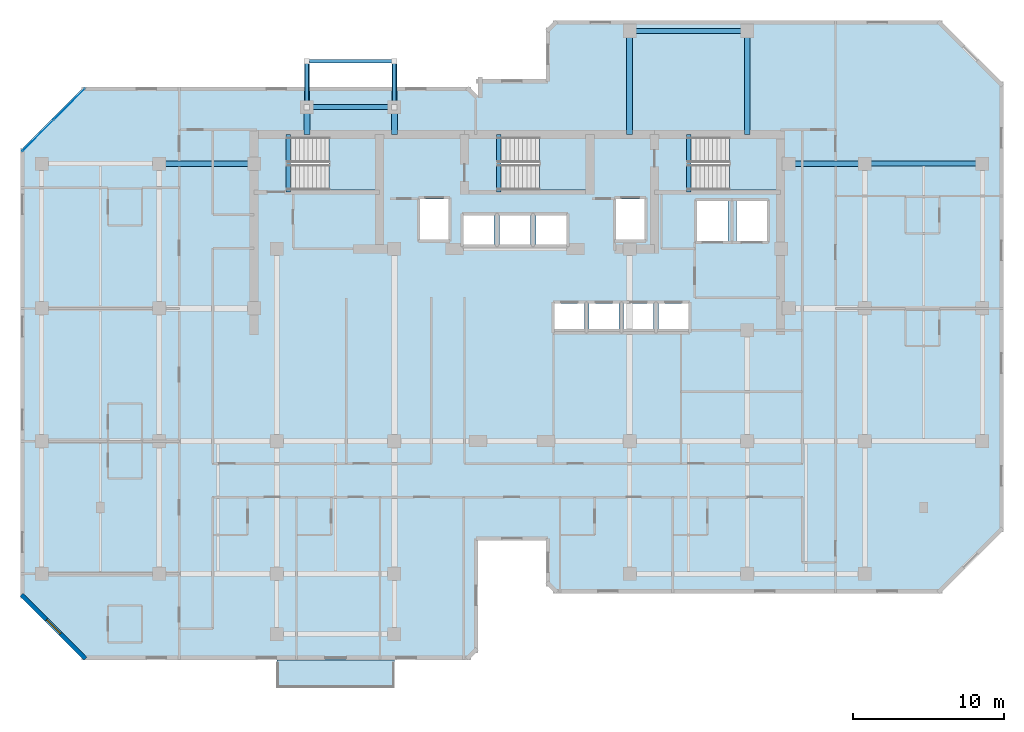
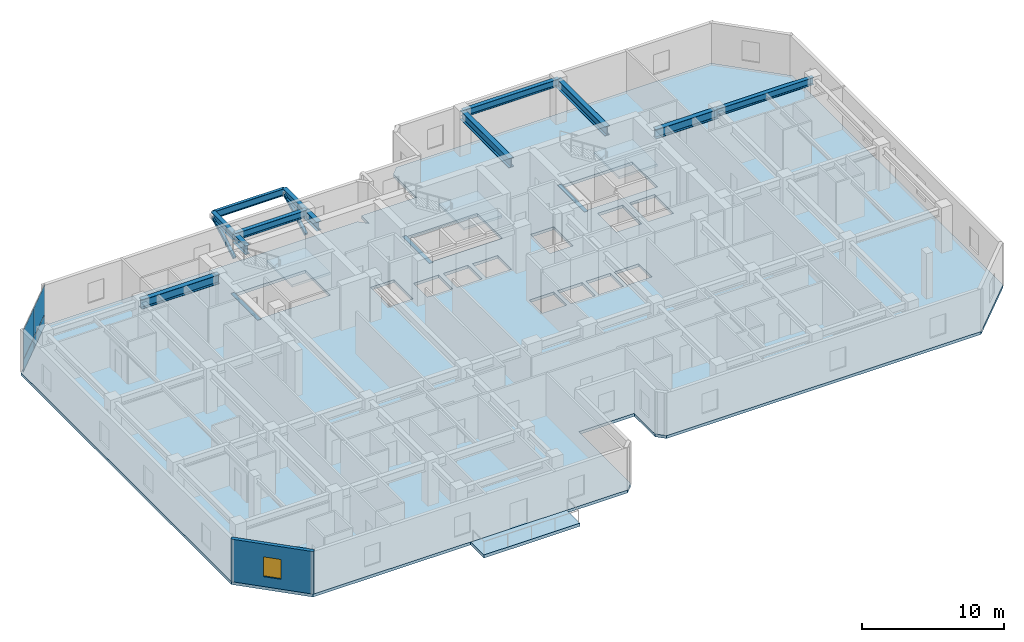
# One storey, part 3 of 11: 15 beams, 5 slabs, 4 plates, 2 members, 1 wall, 1 window, 1 opening, 4 elements without a shape of their own.
"""IFC4 building model written with IfcOpenShell, lengths in metres."""

from ifc_helpers import new_model, si_unit, direction, frame, frame_2d, origin, origin_2d, place, context, subcontext, project, spatial, polyline, rectangle, hollow_rectangle, i_section, outline, extrude, material, layer, layer_set, material_profile, profile_set, type_object, element, fill, aggregate, save


model = new_model("IFC4")

# Units and contexts
model_context = context("Model", 3, precision=1e-05, world=origin(), true_north=direction((0.0, 1.0)))
body_context = subcontext(model_context, "Body", "Model", "MODEL_VIEW")
ifc_project = project(units=[si_unit("LENGTHUNIT", "METRE"), si_unit("AREAUNIT", "SQUARE_METRE"), si_unit("VOLUMEUNIT", "CUBIC_METRE"), si_unit("PLANEANGLEUNIT", "RADIAN"), si_unit("MASSUNIT", "GRAM", prefix="KILO")], contexts=[model_context])

# Site, building, storey
site_placement = place(None, origin())
site = spatial("IfcSite", under=ifc_project, at=site_placement, CompositionType="ELEMENT")
building_placement = place(site_placement, origin())
building = spatial("IfcBuilding", under=site, at=building_placement, Name="Kestravale Grand Hotel", CompositionType="ELEMENT")
storey_placement = place(building_placement, frame((0.0, 0.0, 208.5)))
storey = spatial("IfcBuildingStorey", under=building, at=storey_placement, Name="L52", CompositionType="ELEMENT", Elevation=208.5)

# Beams
ifc_material_1 = material(Name="Concrete f'c 45 MPa", Category="concrete")
ifc_material_profile_1 = material_profile(ifc_material_1, rectangle(XDim=0.300048828125, YDim=0.39990234375, at=origin_2d()))
ifc_profile_set_1 = profile_set([ifc_material_profile_1], Name="Concrete f'c 45 MPa")
beam_type_1 = type_object("IfcBeamType", Name="B-FLR-LNT400", PredefinedType="LINTEL", material=ifc_profile_set_1)
for number, where, z_axis, x_axis, name in (
    (1, (24.159912109375, 36.52001953125, -0.199951171875), (0.0, 1.0, 0.0), (-1.0, 0.0, 0.0), "L52 ST1 flight bottom header beam"),
    (2, (38.110107421875, 36.52001953125, -0.199951171875), (0.0, 1.0, 0.0), (-1.0, 0.0, 0.0), "L52 ST2 flight bottom header beam"),
    (3, (50.7099609375, 36.52001953125, -0.199951171875), (0.0, 1.0, 0.0), (-1.0, 0.0, 0.0), "L52 ST3 flight bottom header beam"),
):
    element("IfcBeam", number, at=place(storey_placement, frame(where, z_axis=z_axis, x_axis=x_axis)), inside=storey, type_object=beam_type_1, Name=name, PredefinedType="LINTEL", context=body_context, shape_type="SweptSolid", body=[
        extrude(rectangle(XDim=0.300048828125, YDim=0.39990234375, at=origin_2d()), origin(), (0.0, 0.0, 1.0), 3.800048828125),
    ])
ifc_material_2 = material(Name="Steel ASTM A992 Grade 50", Category="steel")
ifc_material_profile_2 = material_profile(ifc_material_2, i_section(OverallWidth=0.324951171875, OverallDepth=0.612060546875, WebThickness=0.0126953125, FlangeThickness=0.01904296875, FilletRadius=0.018798828125, at=origin_2d()))
ifc_profile_set_2 = profile_set([ifc_material_profile_2], Name="Steel ASTM A992 Grade 50")
beam_type_2 = type_object("IfcBeamType", Name="B-FLR-W24A", PredefinedType="SPANDREL", material=ifc_profile_set_2)
for number, where, z_axis, x_axis, name in (
    (4, (62.39990234375, 38.39990234375, 3.343994140625), (1.0, 0.0, 0.0), (0.0, 1.0, 0.0), "L52 spandrel F:10-11"),
    (5, (46.800048828125, 47.199951171875, 3.343994140625), (1.0, 0.0, 0.0), (0.0, 1.0, 0.0), "L52 spandrel G:8-9"),
):
    element("IfcBeam", number, at=place(storey_placement, frame(where, z_axis=z_axis, x_axis=x_axis)), inside=storey, type_object=beam_type_2, Name=name, PredefinedType="SPANDREL", context=body_context, shape_type="SweptSolid", body=[
        extrude(i_section(OverallWidth=0.324951171875, OverallDepth=0.612060546875, WebThickness=0.0126953125, FlangeThickness=0.01904296875, FilletRadius=0.018798828125, at=origin_2d()), origin(), (0.0, 0.0, 1.0), 7.800048828125),
    ])
beam_1_placement = place(storey_placement, frame((25.39990234375, 42.14990234375, 3.343994140625), z_axis=(1.0, 0.0, 0.0), x_axis=(0.0, 1.0, 0.0)))
element("IfcBeam", 6, at=beam_1_placement, inside=storey, type_object=beam_type_2, Name="L52 perimeter tie spandrel FN:4-5", PredefinedType="SPANDREL", context=body_context, shape_type="SweptSolid", body=[
    extrude(i_section(OverallWidth=0.324951171875, OverallDepth=0.612060546875, WebThickness=0.0126953125, FlangeThickness=0.01904296875, FilletRadius=0.018798828125, at=origin_2d()), origin(), (0.0, 0.0, 1.0), 5.800048828125),
])
for number, where, z_axis, x_axis, name in (
    (7, (25.39990234375, 42.14990234375, 3.323974609375), (0.0, 1.0, 0.0), (-1.0, 0.0, 0.0), "L53 terrace cantilever beam 1"),
    (8, (31.199951171875, 42.14990234375, 3.323974609375), (0.0, 1.0, 0.0), (-1.0, 0.0, 0.0), "L53 terrace cantilever beam 2"),
):
    element("IfcBeam", number, at=place(storey_placement, frame(where, z_axis=z_axis, x_axis=x_axis)), inside=storey, type_object=beam_type_2, Name=name, PredefinedType="SPANDREL", context=body_context, shape_type="SweptSolid", body=[
        extrude(i_section(OverallWidth=0.324951171875, OverallDepth=0.612060546875, WebThickness=0.0126953125, FlangeThickness=0.01904296875, FilletRadius=0.018798828125, at=origin_2d()), origin(), (0.0, 0.0, 1.0), 3.050048828125),
    ])
ifc_material_3 = material(Name="Steel ASTM A992 Grade 50", Category="steel")
ifc_material_profile_3 = material_profile(ifc_material_3, i_section(OverallWidth=0.22900390625, OverallDepth=0.612060546875, WebThickness=0.011962890625, FlangeThickness=0.01953125, FilletRadius=0.019287109375, at=origin_2d()))
ifc_profile_set_3 = profile_set([ifc_material_profile_3], Name="Steel ASTM A992 Grade 50")
beam_type_3 = type_object("IfcBeamType", Name="B-FLR-W24B", PredefinedType="SPANDREL", material=ifc_profile_set_3)
beam_2_placement = place(storey_placement, frame((25.39990234375, 45.199951171875, 3.323974609375), z_axis=(1.0, 0.0, 0.0), x_axis=(0.0, 1.0, 0.0)))
element("IfcBeam", 9, at=beam_2_placement, inside=storey, type_object=beam_type_3, Name="L53 terrace edge spandrel", PredefinedType="SPANDREL", context=body_context, shape_type="SweptSolid", body=[
    extrude(i_section(OverallWidth=0.22900390625, OverallDepth=0.612060546875, WebThickness=0.011962890625, FlangeThickness=0.01953125, FilletRadius=0.019287109375, at=origin_2d()), origin(), (0.0, 0.0, 1.0), 5.800048828125),
])
ifc_material_4 = material(Name="Steel ASTM A992 Grade 50", Category="steel")
ifc_material_profile_4 = material_profile(ifc_material_4, i_section(OverallWidth=0.381103515625, OverallDepth=0.77197265625, WebThickness=0.0166015625, FlangeThickness=0.027099609375, FilletRadius=0.023681640625, at=origin_2d()))
ifc_profile_set_4 = profile_set([ifc_material_profile_4], Name="Steel ASTM A992 Grade 50")
beam_type_4 = type_object("IfcBeamType", Name="B-GRD-W30", PredefinedType="BEAM", material=ifc_profile_set_4)
beam_3_placement = place(storey_placement, frame((15.60009765625, 38.39990234375, 3.263916015625), z_axis=(1.0, 0.0, 0.0), x_axis=(0.0, 1.0, 0.0)))
element("IfcBeam", 10, at=beam_3_placement, inside=storey, type_object=beam_type_4, Name="L52 girder F:3-CW", PredefinedType="BEAM", context=body_context, shape_type="SweptSolid", body=[
    extrude(i_section(OverallWidth=0.381103515625, OverallDepth=0.77197265625, WebThickness=0.0166015625, FlangeThickness=0.027099609375, FilletRadius=0.023681640625, at=origin_2d()), origin(), (0.0, 0.0, 1.0), 6.2998046875),
])
beam_4_placement = place(storey_placement, frame((57.35009765625, 38.39990234375, 3.263916015625), z_axis=(1.0, 0.0, 0.0), x_axis=(0.0, 1.0, 0.0)))
element("IfcBeam", 11, at=beam_4_placement, inside=storey, type_object=beam_type_4, Name="L52 girder F:CE-10", PredefinedType="BEAM", context=body_context, shape_type="SweptSolid", body=[
    extrude(i_section(OverallWidth=0.381103515625, OverallDepth=0.77197265625, WebThickness=0.0166015625, FlangeThickness=0.027099609375, FilletRadius=0.023681640625, at=origin_2d()), origin(), (0.0, 0.0, 1.0), 5.0498046875),
])
for number, where, z_axis, x_axis, name in (
    (12, (25.39990234375, 40.320068359375, 3.263916015625), (0.0, 1.0, 0.0), (-1.0, 0.0, 0.0), "L52 north wing tie girder 4:CN-FN"),
    (13, (31.199951171875, 40.320068359375, 3.263916015625), (0.0, 1.0, 0.0), (-1.0, 0.0, 0.0), "L52 north wing tie girder 5:CN-FN"),
):
    element("IfcBeam", number, at=place(storey_placement, frame(where, z_axis=z_axis, x_axis=x_axis)), inside=storey, type_object=beam_type_4, Name=name, PredefinedType="BEAM", context=body_context, shape_type="SweptSolid", body=[
        extrude(i_section(OverallWidth=0.381103515625, OverallDepth=0.77197265625, WebThickness=0.0166015625, FlangeThickness=0.027099609375, FilletRadius=0.023681640625, at=origin_2d()), origin(), (0.0, 0.0, 1.0), 1.829833984375),
    ])
for number, where, z_axis, x_axis, name in (
    (14, (46.800048828125, 40.320068359375, 3.263916015625), (0.0, 1.0, 0.0), (-1.0, 0.0, 0.0), "L52 north wing tie girder 8:CN-G"),
    (15, (54.60009765625, 40.320068359375, 3.263916015625), (0.0, 1.0, 0.0), (-1.0, 0.0, 0.0), "L52 north wing tie girder 9:CN-G"),
):
    element("IfcBeam", number, at=place(storey_placement, frame(where, z_axis=z_axis, x_axis=x_axis)), inside=storey, type_object=beam_type_4, Name=name, PredefinedType="BEAM", context=body_context, shape_type="SweptSolid", body=[
        extrude(i_section(OverallWidth=0.381103515625, OverallDepth=0.77197265625, WebThickness=0.0166015625, FlangeThickness=0.027099609375, FilletRadius=0.023681640625, at=origin_2d()), origin(), (0.0, 0.0, 1.0), 6.8798828125),
    ])

# Members
ifc_material_5 = material(Name="Steel ASTM A500 Grade C", Category="steel")
ifc_material_profile_5 = material_profile(ifc_material_5, hollow_rectangle(XDim=0.25, YDim=0.25, WallThickness=0.011962890625, InnerFilletRadius=0.011962890625, OuterFilletRadius=0.02392578125, at=origin_2d()))
ifc_profile_set_5 = profile_set([ifc_material_profile_5], Name="Steel ASTM A500 Grade C")
member_type = type_object("IfcMemberType", Name="M-BLT-STR250", PredefinedType="STRUT", material=ifc_profile_set_5)
for number, where, z_axis, x_axis, name in (
    (16, (25.39990234375, 42.14990234375, 1.47412109375), (0.0, 0.873490250237, 0.486841640311), (-1.0, 0.0, 0.0), "L53 terrace knee-brace strut 1"),
    (17, (31.199951171875, 42.14990234375, 1.47412109375), (0.0, 0.873490250237, 0.486841640311), (-1.0, 0.0, 0.0), "L53 terrace knee-brace strut 2"),
):
    element("IfcMember", number, at=place(storey_placement, frame(where, z_axis=z_axis, x_axis=x_axis)), inside=storey, type_object=member_type, Name=name, PredefinedType="STRUT", context=body_context, shape_type="SweptSolid", body=[
        extrude(hollow_rectangle(XDim=0.25, YDim=0.25, WallThickness=0.011962890625, InnerFilletRadius=0.011962890625, OuterFilletRadius=0.02392578125, at=origin_2d()), origin(), (0.0, 0.0, 1.0), 3.49169921875),
    ])

# Curtain wall, plates
ifc_material_6 = material(Name="Thermally broken champagne-bronze aluminium and low-E glazing", Category="aluminium")
ifc_layer_1 = layer(ifc_material_6, 0.179931640625)
ifc_layer_set_1 = layer_set([ifc_layer_1], Name="CW-Z3")
curtain_wall_type = type_object("IfcCurtainWallType", Name="CW-Z3", PredefinedType="NOTDEFINED", material=ifc_layer_set_1)
curtain_wall_placement = place(storey_placement, origin())
curtain_wall = element("IfcCurtainWall", 18, at=curtain_wall_placement, inside=storey, type_object=curtain_wall_type, Name="L52 unitised curtain wall 18", PredefinedType="NOTDEFINED")
ifc_material_7 = material(Name="Insulated clear low-E double glazing IGU", Category="glass")
ifc_layer_2 = layer(ifc_material_7, 0.031982421875)
ifc_layer_set_2 = layer_set([ifc_layer_2], Name="CW-PNL-32")
plate_type = type_object("IfcPlateType", Name="CW-PNL-32", PredefinedType="CURTAIN_PANEL", material=ifc_layer_set_2)
plate_1_placement = place(storey_placement, frame((9.64453125, 42.3466796875, 0.06494140625), z_axis=(0.0, 0.0, 1.0), x_axis=(-0.707106781187, -0.707106781187, 0.0)))
plate_1 = element("IfcPlate", 19, at=plate_1_placement, type_object=plate_type, Name="CW-Z3 panel 1.1", PredefinedType="CURTAIN_PANEL", context=body_context, shape_type="SweptSolid", body=[
    extrude(rectangle(XDim=2.892333984375, YDim=0.031982421875, at=origin_2d()), origin(), (0.0, 0.0, 1.0), 0.952392578125),
])
plate_2_placement = place(storey_placement, frame((9.64453125, 42.3466796875, 1.08251953125), z_axis=(0.0, 0.0, 1.0), x_axis=(-0.707106781187, -0.707106781187, 0.0)))
plate_2 = element("IfcPlate", 20, at=plate_2_placement, type_object=plate_type, Name="CW-Z3 panel 1.2", PredefinedType="CURTAIN_PANEL", context=body_context, shape_type="SweptSolid", body=[
    extrude(rectangle(XDim=2.892333984375, YDim=0.031982421875, at=origin_2d()), origin(), (0.0, 0.0, 1.0), 2.50244140625),
])
plate_3_placement = place(storey_placement, frame((7.553466796875, 40.25537109375, 0.06494140625), z_axis=(0.0, 0.0, 1.0), x_axis=(-0.707106781187, -0.707106781187, 0.0)))
plate_3 = element("IfcPlate", 21, at=plate_3_placement, type_object=plate_type, Name="CW-Z3 panel 2.1", PredefinedType="CURTAIN_PANEL", context=body_context, shape_type="SweptSolid", body=[
    extrude(rectangle(XDim=2.892333984375, YDim=0.031982421875, at=origin_2d()), origin(), (0.0, 0.0, 1.0), 0.952392578125),
])
plate_4_placement = place(storey_placement, frame((7.553466796875, 40.25537109375, 1.08251953125), z_axis=(0.0, 0.0, 1.0), x_axis=(-0.707106781187, -0.707106781187, 0.0)))
plate_4 = element("IfcPlate", 22, at=plate_4_placement, type_object=plate_type, Name="CW-Z3 panel 2.2", PredefinedType="CURTAIN_PANEL", context=body_context, shape_type="SweptSolid", body=[
    extrude(rectangle(XDim=2.892333984375, YDim=0.031982421875, at=origin_2d()), origin(), (0.0, 0.0, 1.0), 2.50244140625),
])
aggregate(curtain_wall, [plate_1, plate_2, plate_3, plate_4])

# Slab
ifc_material_8 = material(Name="Concrete f'c 45 MPa", Category="concrete")
ifc_layer_3 = layer(ifc_material_8, 0.27001953125)
ifc_layer_set_3 = layer_set([ifc_layer_3], Name="ES-TERR-270")
slab_type_1 = type_object("IfcSlabType", Name="ES-TERR-270", PredefinedType="FLOOR", material=ifc_layer_set_3)
slab_1_placement = place(storey_placement, frame((0.0, 0.0, -0.27001953125)))
element("IfcSlab", 23, at=slab_1_placement, inside=storey, type_object=slab_type_1, Name="L52 spiralling planted garden terrace", PredefinedType="FLOOR", context=body_context, shape_type="SweptSolid", body=[
    extrude(outline(polyline([(23.39990234375, 3.64990234375), (31.199951171875, 3.64990234375), (31.199951171875, 5.5), (23.39990234375, 5.5), (23.39990234375, 3.64990234375)])), origin(), (0.0, 0.0, 1.0), 0.27001953125),
])

# Stair, slab
ifc_material_9 = material(Name="Concrete f'c 45 MPa", Category="concrete")
stair_type = type_object("IfcStairType", Name="ST-CORE-390", PredefinedType="HALF_TURN_STAIR", material=ifc_material_9)
stair_1_placement = place(storey_placement, origin())
stair_1 = element("IfcStair", 24, at=stair_1_placement, inside=storey, type_object=stair_type, Name="L52 ST-1", PredefinedType="HALF_TURN_STAIR")
ifc_material_10 = material(Name="Concrete f'c 45 MPa", Category="concrete")
ifc_layer_4 = layer(ifc_material_10, 0.199951171875)
ifc_layer_set_4 = layer_set([ifc_layer_4], Name="SLB-ST-LND200")
slab_type_2 = type_object("IfcSlabType", Name="SLB-ST-LND200", PredefinedType="LANDING", material=ifc_layer_set_4)
slab_2_placement = place(storey_placement, frame((0.0, 0.0, 1.75)))
slab_2 = element("IfcSlab", 25, at=slab_2_placement, type_object=slab_type_2, Name="ST-1 landing 1", PredefinedType="LANDING", context=body_context, shape_type="SweptSolid", body=[
    extrude(outline(polyline([(26.8798828125, 36.64990234375), (30.0, 36.64990234375), (30.0, 40.159912109375), (26.8798828125, 40.159912109375), (26.8798828125, 36.64990234375)])), origin(), (0.0, 0.0, 1.0), 0.199951171875),
])
aggregate(stair_1, [slab_2])

stair_2_placement = place(storey_placement, origin())
stair_2 = element("IfcStair", 26, at=stair_2_placement, inside=storey, type_object=stair_type, Name="L52 ST-2", PredefinedType="HALF_TURN_STAIR")
slab_3_placement = place(storey_placement, frame((0.0, 0.0, 1.75)))
slab_3 = element("IfcSlab", 27, at=slab_3_placement, type_object=slab_type_2, Name="ST-2 landing 1", PredefinedType="LANDING", context=body_context, shape_type="SweptSolid", body=[
    extrude(outline(polyline([(40.830078125, 36.64990234375), (43.949951171875, 36.64990234375), (43.949951171875, 40.159912109375), (40.830078125, 40.159912109375), (40.830078125, 36.64990234375)])), origin(), (0.0, 0.0, 1.0), 0.199951171875),
])
aggregate(stair_2, [slab_3])

stair_3_placement = place(storey_placement, origin())
stair_3 = element("IfcStair", 28, at=stair_3_placement, inside=storey, type_object=stair_type, Name="L52 ST-3", PredefinedType="HALF_TURN_STAIR")
slab_4_placement = place(storey_placement, frame((0.0, 0.0, 1.75)))
slab_4 = element("IfcSlab", 29, at=slab_4_placement, type_object=slab_type_2, Name="ST-3 landing 1", PredefinedType="LANDING", context=body_context, shape_type="SweptSolid", body=[
    extrude(outline(polyline([(53.429931640625, 36.64990234375), (56.550048828125, 36.64990234375), (56.550048828125, 40.159912109375), (53.429931640625, 40.159912109375), (53.429931640625, 36.64990234375)])), origin(), (0.0, 0.0, 1.0), 0.199951171875),
])
aggregate(stair_3, [slab_4])

# Slab
ifc_material_11 = material(Name="Concrete f'c 45 MPa", Category="concrete")
ifc_layer_5 = layer(ifc_material_11, 0.25)
ifc_layer_set_5 = layer_set([ifc_layer_5], Name="SS-FLR-250")
slab_type_3 = type_object("IfcSlabType", Name="SS-FLR-250", PredefinedType="FLOOR", material=ifc_layer_set_5)
slab_5_placement = place(storey_placement, frame((0.0, 0.0, -0.25)))
element("IfcSlab", 30, at=slab_5_placement, inside=storey, type_object=slab_type_3, Name="L52 structural floor slab", PredefinedType="FLOOR", context=body_context, shape_type="SweptSolid", body=[
    extrude(outline(polyline([(10.60009765625, 5.5), (36.14990234375, 5.5), (36.75, 6.10009765625), (36.75, 13.39990234375), (41.25, 13.39990234375), (41.25, 10.5), (41.85009765625, 9.89990234375), (67.39990234375, 9.89990234375), (71.60009765625, 14.10009765625), (71.60009765625, 43.699951171875), (67.39990234375, 47.89990234375), (41.85009765625, 47.89990234375), (41.25, 47.300048828125), (41.25, 44.0), (36.75, 44.0), (36.75, 42.89990234375), (36.14990234375, 43.5), (10.60009765625, 43.5), (6.39990234375, 39.300048828125), (6.39990234375, 9.699951171875), (10.60009765625, 5.5)]), holes=[polyline([(24.080078125, 36.64990234375), (30.0, 36.64990234375), (30.0, 40.159912109375), (24.080078125, 40.159912109375), (24.080078125, 36.64990234375)]), polyline([(38.030029296875, 36.64990234375), (43.949951171875, 36.64990234375), (43.949951171875, 40.159912109375), (38.030029296875, 40.159912109375), (38.030029296875, 36.64990234375)]), polyline([(50.6298828125, 36.64990234375), (56.550048828125, 36.64990234375), (56.550048828125, 40.159912109375), (50.6298828125, 40.159912109375), (50.6298828125, 36.64990234375)]), polyline([(41.804931640625, 27.280029296875), (43.794921875, 27.280029296875), (43.794921875, 29.1201171875), (41.804931640625, 29.1201171875), (41.804931640625, 27.280029296875)]), polyline([(44.10498046875, 27.280029296875), (46.094970703125, 27.280029296875), (46.094970703125, 29.1201171875), (44.10498046875, 29.1201171875), (44.10498046875, 27.280029296875)]), polyline([(46.405029296875, 27.280029296875), (48.39501953125, 27.280029296875), (48.39501953125, 29.1201171875), (46.405029296875, 29.1201171875), (46.405029296875, 27.280029296875)]), polyline([(48.705078125, 27.280029296875), (50.695068359375, 27.280029296875), (50.695068359375, 29.1201171875), (48.705078125, 29.1201171875), (48.705078125, 27.280029296875)]), polyline([(35.780029296875, 33.030029296875), (37.820068359375, 33.030029296875), (37.820068359375, 34.969970703125), (35.780029296875, 34.969970703125), (35.780029296875, 33.030029296875)]), polyline([(38.179931640625, 33.030029296875), (40.219970703125, 33.030029296875), (40.219970703125, 34.969970703125), (38.179931640625, 34.969970703125), (38.179931640625, 33.030029296875)]), polyline([(40.580078125, 33.030029296875), (42.6201171875, 33.030029296875), (42.6201171875, 34.969970703125), (40.580078125, 34.969970703125), (40.580078125, 33.030029296875)]), polyline([(32.905029296875, 33.35498046875), (34.794921875, 33.35498046875), (34.794921875, 36.044921875), (32.905029296875, 36.044921875), (32.905029296875, 33.35498046875)]), polyline([(45.905029296875, 33.35498046875), (47.794921875, 33.35498046875), (47.794921875, 36.044921875), (45.905029296875, 36.044921875), (45.905029296875, 33.35498046875)]), polyline([(51.280029296875, 33.280029296875), (53.320068359375, 33.280029296875), (53.320068359375, 35.919921875), (51.280029296875, 35.919921875), (51.280029296875, 33.280029296875)]), polyline([(53.8798828125, 33.280029296875), (55.919921875, 33.280029296875), (55.919921875, 35.919921875), (53.8798828125, 35.919921875), (53.8798828125, 33.280029296875)])]), origin(), (0.0, 0.0, 1.0), 0.25),
])

# Wall, opening, window
ifc_material_12 = material(Name="Precast concrete f'c 45 MPa", Category="concrete")
ifc_layer_6 = layer(ifc_material_12, 0.280029296875)
ifc_layer_set_6 = layer_set([ifc_layer_6], Name="EW-PREC-280")
wall_type = type_object("IfcWallType", Name="EW-PREC-280", PredefinedType="SOLIDWALL", material=ifc_layer_set_6)
wall_placement = place(storey_placement, frame((6.470703125, 9.827392578125, 0.0), z_axis=(0.0, 0.0, 1.0), x_axis=(0.707106781187, -0.707106781187, 0.0)))
wall = element("IfcWall", 31, at=wall_placement, inside=storey, type_object=wall_type, Name="L52 fluted precast facade wall 20", PredefinedType="SOLIDWALL", context=body_context, shape_type="SweptSolid", body=[
    extrude(rectangle(XDim=6.019775390625, YDim=0.280029296875, at=frame_2d((3.009765625, 0.0))), origin(), (0.0, 0.0, 1.0), 3.64990234375),
])
opening_placement = place(wall_placement, frame((2.35986328125, 0.0, 0.85009765625)))
opening = element("IfcOpeningElement", 32, at=opening_placement, cuts=wall, Name="Opening W-GUEST-1300", PredefinedType="OPENING", context=body_context, shape_type="SweptSolid", body=[
    extrude(rectangle(XDim=1.300048828125, YDim=1.699951171875, at=frame_2d((0.64990234375, 0.85009765625))), frame((0.0, 0.14990234375, 0.0), z_axis=(0.0, -1.0, 0.0), x_axis=(1.0, 0.0, 0.0)), (0.0, 0.0, 1.0), 0.300048828125),
])
ifc_material_13 = material(Name="Insulated low-E double glazing in aluminium frame", Category="aluminium")
window_type = type_object("IfcWindowType", Name="W-GUEST-1300", PartitioningType="SINGLE_PANEL", PredefinedType="WINDOW", material=ifc_material_13)
window_placement = place(opening_placement, origin())
window = element("IfcWindow", 33, at=window_placement, inside=storey, type_object=window_type, Name="L52 exterior window 20.1", OverallHeight=1.699951171875, OverallWidth=1.300048828125, PartitioningType="SINGLE_PANEL", PredefinedType="WINDOW", context=body_context, shape_type="SweptSolid", body=[
    extrude(rectangle(XDim=1.300048828125, YDim=1.699951171875, at=frame_2d((0.64990234375, 0.85009765625))), frame((0.0, 0.030029296875, 0.0), z_axis=(0.0, -1.0, 0.0), x_axis=(1.0, 0.0, 0.0)), (0.0, 0.0, 1.0), 0.06005859375),
])
fill(opening, window)

save(model, "model.ifc")
